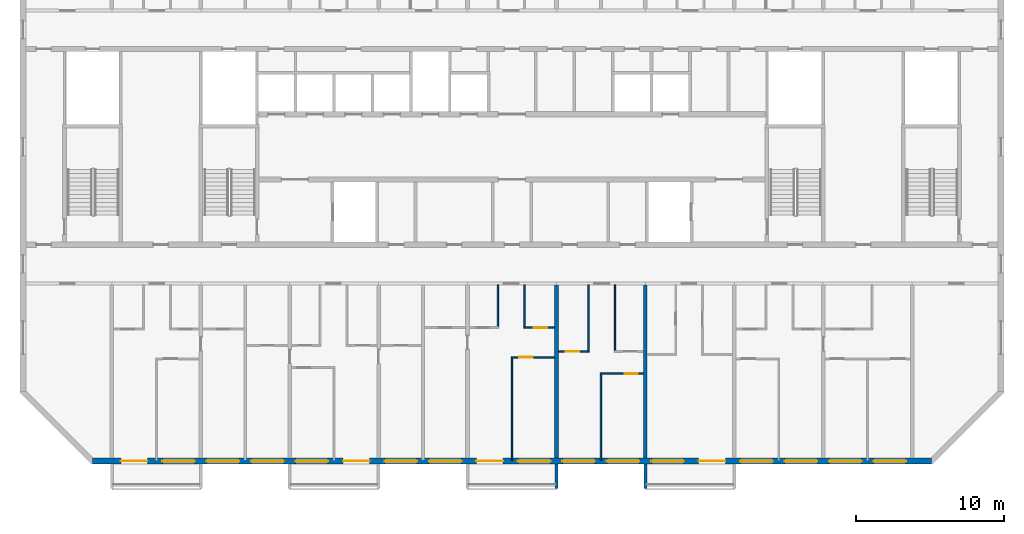
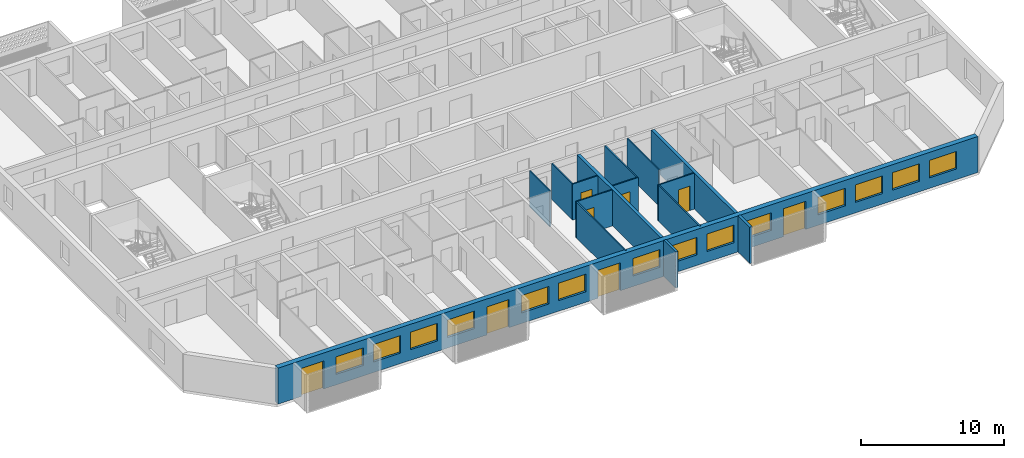
# One storey, part 4 of 29: 15 walls, 14 windows, 8 doors, 22 openings.
"""IFC4 building model written with IfcOpenShell, lengths in metres."""

from ifc_helpers import new_model, si_unit, direction, frame, frame_2d, origin, place, context, subcontext, project, spatial, polyline, rectangle, outline, extrude, source, transform, mapped, material, layer, layer_set, type_object, element, fill, save


model = new_model("IFC4")

# Units and contexts
model_context = context("Model", 3, precision=1e-05, world=origin(), true_north=direction((0.0, 1.0)))
body_context = subcontext(model_context, "Body", "Model", "MODEL_VIEW")
ifc_project = project(units=[si_unit("LENGTHUNIT", "METRE"), si_unit("AREAUNIT", "SQUARE_METRE"), si_unit("VOLUMEUNIT", "CUBIC_METRE"), si_unit("PLANEANGLEUNIT", "RADIAN"), si_unit("MASSUNIT", "GRAM", prefix="KILO")], contexts=[model_context])

# Site, building, storey
site_placement = place(None, origin())
site = spatial("IfcSite", under=ifc_project, at=site_placement, CompositionType="ELEMENT")
building_placement = place(site_placement, origin())
building = spatial("IfcBuilding", under=site, at=building_placement, Name="Poui Terraces", CompositionType="ELEMENT")
storey_placement = place(building_placement, frame((0.0, 0.0, 234.60009765625)))
storey = spatial("IfcBuildingStorey", under=building, at=storey_placement, Name="L65", CompositionType="ELEMENT", Elevation=234.60009765625)

# Walls
ifc_material_1 = material(Name="Concrete 50 MPa", Category="concrete")
ifc_layer_1 = layer(ifc_material_1, 0.25)
ifc_layer_set_1 = layer_set([ifc_layer_1], Name="Concrete 50 MPa")
wall_type_1 = type_object("IfcWallType", Name="CROSS WALL 250 50MPa", PredefinedType="SHEAR", material=ifc_layer_set_1)
for number, where, z_axis, x_axis, name in (
    (1, (54.0, 0.199951171875, 0.0), (0.0, 0.0, 1.0), (0.0, 1.0, 0.0), "CROSS WALL LINE 10 SOUTH"),
    (2, (60.0, 0.199951171875, 0.0), (0.0, 0.0, 1.0), (0.0, 1.0, 0.0), "CROSS WALL LINE 11 SOUTH"),
):
    element("IfcWall", number, at=place(storey_placement, frame(where, z_axis=z_axis, x_axis=x_axis)), inside=storey, type_object=wall_type_1, Name=name, PredefinedType="SHEAR", context=body_context, shape_type="SweptSolid", body=[
        extrude(rectangle(XDim=11.699951171875, YDim=0.25, at=frame_2d((5.85009765625, 0.0))), origin(), (0.0, 0.0, 1.0), 3.079833984375),
    ])

# Wall, openings, doors, windows
ifc_material_2 = material(Name="Precast concrete 40 MPa", Category="concrete")
ifc_layer_2 = layer(ifc_material_2, 0.39990234375)
ifc_layer_set_2 = layer_set([ifc_layer_2], Name="Precast concrete 40 MPa")
wall_type_2 = type_object("IfcWallType", Name="EXTERNAL WALL 400", PredefinedType="STANDARD", material=ifc_layer_set_2)
wall_1_placement = place(storey_placement, frame((22.682861328125, 0.0, 0.0), z_axis=(0.0, 0.0, 1.0), x_axis=(1.0, 0.0, 0.0)))
wall_1 = element("IfcWall", 3, at=wall_1_placement, inside=storey, type_object=wall_type_2, Name="EXTERNAL WALL S", PredefinedType="STANDARD", context=body_context, shape_type="SweptSolid", body=[
    extrude(rectangle(XDim=56.63427734375, YDim=0.39990234375, at=frame_2d((28.317138671875, 0.0))), origin(), (0.0, 0.0, 1.0), 3.079833984375),
])
opening_1_placement = place(wall_1_placement, frame((1.917236328125, 0.0, 0.0)))
opening_1 = element("IfcOpeningElement", 4, at=opening_1_placement, cuts=wall_1, Name="Opening BD1", PredefinedType="OPENING", context=body_context, shape_type="SweptSolid", body=[
    extrude(rectangle(XDim=1.800048828125, YDim=2.39990234375, at=frame_2d((0.89990234375, 1.199951171875))), frame((0.0, 0.2099609375, 0.0), z_axis=(0.0, -1.0, 0.0), x_axis=(1.0, 0.0, 0.0)), (0.0, 0.0, 1.0), 0.419921875),
])
opening_2_placement = place(wall_1_placement, frame((4.71728515625, 0.0, 0.89990234375)))
opening_2 = element("IfcOpeningElement", 5, at=opening_2_placement, cuts=wall_1, Name="Opening W1", PredefinedType="OPENING", context=body_context, shape_type="SweptSolid", body=[
    extrude(rectangle(XDim=2.199951171875, YDim=1.5, at=frame_2d((1.10009765625, 0.75))), frame((0.0, 0.2099609375, 0.0), z_axis=(0.0, -1.0, 0.0), x_axis=(1.0, 0.0, 0.0)), (0.0, 0.0, 1.0), 0.419921875),
])
opening_3_placement = place(wall_1_placement, frame((7.71728515625, 0.0, 0.89990234375)))
opening_3 = element("IfcOpeningElement", 6, at=opening_3_placement, cuts=wall_1, Name="Opening W1", PredefinedType="OPENING", context=body_context, shape_type="SweptSolid", body=[
    extrude(rectangle(XDim=2.199951171875, YDim=1.5, at=frame_2d((1.10009765625, 0.75))), frame((0.0, 0.2099609375, 0.0), z_axis=(0.0, -1.0, 0.0), x_axis=(1.0, 0.0, 0.0)), (0.0, 0.0, 1.0), 0.419921875),
])
opening_4_placement = place(wall_1_placement, frame((10.71728515625, 0.0, 0.89990234375)))
opening_4 = element("IfcOpeningElement", 7, at=opening_4_placement, cuts=wall_1, Name="Opening W1", PredefinedType="OPENING", context=body_context, shape_type="SweptSolid", body=[
    extrude(rectangle(XDim=2.199951171875, YDim=1.5, at=frame_2d((1.10009765625, 0.75))), frame((0.0, 0.2099609375, 0.0), z_axis=(0.0, -1.0, 0.0), x_axis=(1.0, 0.0, 0.0)), (0.0, 0.0, 1.0), 0.419921875),
])
opening_5_placement = place(wall_1_placement, frame((13.71728515625, 0.0, 0.89990234375)))
opening_5 = element("IfcOpeningElement", 8, at=opening_5_placement, cuts=wall_1, Name="Opening W1", PredefinedType="OPENING", context=body_context, shape_type="SweptSolid", body=[
    extrude(rectangle(XDim=2.199951171875, YDim=1.5, at=frame_2d((1.10009765625, 0.75))), frame((0.0, 0.2099609375, 0.0), z_axis=(0.0, -1.0, 0.0), x_axis=(1.0, 0.0, 0.0)), (0.0, 0.0, 1.0), 0.419921875),
])
opening_6_placement = place(wall_1_placement, frame((16.917236328125, 0.0, 0.0)))
opening_6 = element("IfcOpeningElement", 9, at=opening_6_placement, cuts=wall_1, Name="Opening BD1", PredefinedType="OPENING", context=body_context, shape_type="SweptSolid", body=[
    extrude(rectangle(XDim=1.800048828125, YDim=2.39990234375, at=frame_2d((0.89990234375, 1.199951171875))), frame((0.0, 0.2099609375, 0.0), z_axis=(0.0, -1.0, 0.0), x_axis=(1.0, 0.0, 0.0)), (0.0, 0.0, 1.0), 0.419921875),
])
opening_7_placement = place(wall_1_placement, frame((19.71728515625, 0.0, 0.89990234375)))
opening_7 = element("IfcOpeningElement", 10, at=opening_7_placement, cuts=wall_1, Name="Opening W1", PredefinedType="OPENING", context=body_context, shape_type="SweptSolid", body=[
    extrude(rectangle(XDim=2.199951171875, YDim=1.5, at=frame_2d((1.10009765625, 0.75))), frame((0.0, 0.2099609375, 0.0), z_axis=(0.0, -1.0, 0.0), x_axis=(1.0, 0.0, 0.0)), (0.0, 0.0, 1.0), 0.419921875),
])
opening_8_placement = place(wall_1_placement, frame((22.71728515625, 0.0, 0.89990234375)))
opening_8 = element("IfcOpeningElement", 11, at=opening_8_placement, cuts=wall_1, Name="Opening W1", PredefinedType="OPENING", context=body_context, shape_type="SweptSolid", body=[
    extrude(rectangle(XDim=2.199951171875, YDim=1.5, at=frame_2d((1.10009765625, 0.75))), frame((0.0, 0.2099609375, 0.0), z_axis=(0.0, -1.0, 0.0), x_axis=(1.0, 0.0, 0.0)), (0.0, 0.0, 1.0), 0.419921875),
])
opening_9_placement = place(wall_1_placement, frame((25.917236328125, 0.0, 0.0)))
opening_9 = element("IfcOpeningElement", 12, at=opening_9_placement, cuts=wall_1, Name="Opening BD1", PredefinedType="OPENING", context=body_context, shape_type="SweptSolid", body=[
    extrude(rectangle(XDim=1.800048828125, YDim=2.39990234375, at=frame_2d((0.89990234375, 1.199951171875))), frame((0.0, 0.2099609375, 0.0), z_axis=(0.0, -1.0, 0.0), x_axis=(1.0, 0.0, 0.0)), (0.0, 0.0, 1.0), 0.419921875),
])
opening_10_placement = place(wall_1_placement, frame((28.71728515625, 0.0, 0.89990234375)))
opening_10 = element("IfcOpeningElement", 13, at=opening_10_placement, cuts=wall_1, Name="Opening W1", PredefinedType="OPENING", context=body_context, shape_type="SweptSolid", body=[
    extrude(rectangle(XDim=2.199951171875, YDim=1.5, at=frame_2d((1.10009765625, 0.75))), frame((0.0, 0.2099609375, 0.0), z_axis=(0.0, -1.0, 0.0), x_axis=(1.0, 0.0, 0.0)), (0.0, 0.0, 1.0), 0.419921875),
])
opening_11_placement = place(wall_1_placement, frame((31.71728515625, 0.0, 0.89990234375)))
opening_11 = element("IfcOpeningElement", 14, at=opening_11_placement, cuts=wall_1, Name="Opening W1", PredefinedType="OPENING", context=body_context, shape_type="SweptSolid", body=[
    extrude(rectangle(XDim=2.199951171875, YDim=1.5, at=frame_2d((1.10009765625, 0.75))), frame((0.0, 0.2099609375, 0.0), z_axis=(0.0, -1.0, 0.0), x_axis=(1.0, 0.0, 0.0)), (0.0, 0.0, 1.0), 0.419921875),
])
opening_12_placement = place(wall_1_placement, frame((34.71728515625, 0.0, 0.89990234375)))
opening_12 = element("IfcOpeningElement", 15, at=opening_12_placement, cuts=wall_1, Name="Opening W1", PredefinedType="OPENING", context=body_context, shape_type="SweptSolid", body=[
    extrude(rectangle(XDim=2.199951171875, YDim=1.5, at=frame_2d((1.10009765625, 0.75))), frame((0.0, 0.2099609375, 0.0), z_axis=(0.0, -1.0, 0.0), x_axis=(1.0, 0.0, 0.0)), (0.0, 0.0, 1.0), 0.419921875),
])
opening_13_placement = place(wall_1_placement, frame((37.71728515625, 0.0, 0.89990234375)))
opening_13 = element("IfcOpeningElement", 16, at=opening_13_placement, cuts=wall_1, Name="Opening W1", PredefinedType="OPENING", context=body_context, shape_type="SweptSolid", body=[
    extrude(rectangle(XDim=2.199951171875, YDim=1.5, at=frame_2d((1.10009765625, 0.75))), frame((0.0, 0.2099609375, 0.0), z_axis=(0.0, -1.0, 0.0), x_axis=(1.0, 0.0, 0.0)), (0.0, 0.0, 1.0), 0.419921875),
])
opening_14_placement = place(wall_1_placement, frame((40.917236328125, 0.0, 0.0)))
opening_14 = element("IfcOpeningElement", 17, at=opening_14_placement, cuts=wall_1, Name="Opening BD1", PredefinedType="OPENING", context=body_context, shape_type="SweptSolid", body=[
    extrude(rectangle(XDim=1.800048828125, YDim=2.39990234375, at=frame_2d((0.89990234375, 1.199951171875))), frame((0.0, 0.2099609375, 0.0), z_axis=(0.0, -1.0, 0.0), x_axis=(1.0, 0.0, 0.0)), (0.0, 0.0, 1.0), 0.419921875),
])
opening_15_placement = place(wall_1_placement, frame((43.71728515625, 0.0, 0.89990234375)))
opening_15 = element("IfcOpeningElement", 18, at=opening_15_placement, cuts=wall_1, Name="Opening W1", PredefinedType="OPENING", context=body_context, shape_type="SweptSolid", body=[
    extrude(rectangle(XDim=2.199951171875, YDim=1.5, at=frame_2d((1.10009765625, 0.75))), frame((0.0, 0.2099609375, 0.0), z_axis=(0.0, -1.0, 0.0), x_axis=(1.0, 0.0, 0.0)), (0.0, 0.0, 1.0), 0.419921875),
])
opening_16_placement = place(wall_1_placement, frame((46.71728515625, 0.0, 0.89990234375)))
opening_16 = element("IfcOpeningElement", 19, at=opening_16_placement, cuts=wall_1, Name="Opening W1", PredefinedType="OPENING", context=body_context, shape_type="SweptSolid", body=[
    extrude(rectangle(XDim=2.199951171875, YDim=1.5, at=frame_2d((1.10009765625, 0.75))), frame((0.0, 0.2099609375, 0.0), z_axis=(0.0, -1.0, 0.0), x_axis=(1.0, 0.0, 0.0)), (0.0, 0.0, 1.0), 0.419921875),
])
opening_17_placement = place(wall_1_placement, frame((49.71728515625, 0.0, 0.89990234375)))
opening_17 = element("IfcOpeningElement", 20, at=opening_17_placement, cuts=wall_1, Name="Opening W1", PredefinedType="OPENING", context=body_context, shape_type="SweptSolid", body=[
    extrude(rectangle(XDim=2.199951171875, YDim=1.5, at=frame_2d((1.10009765625, 0.75))), frame((0.0, 0.2099609375, 0.0), z_axis=(0.0, -1.0, 0.0), x_axis=(1.0, 0.0, 0.0)), (0.0, 0.0, 1.0), 0.419921875),
])
opening_18_placement = place(wall_1_placement, frame((52.71728515625, 0.0, 0.89990234375)))
opening_18 = element("IfcOpeningElement", 21, at=opening_18_placement, cuts=wall_1, Name="Opening W1", PredefinedType="OPENING", context=body_context, shape_type="SweptSolid", body=[
    extrude(rectangle(XDim=2.199951171875, YDim=1.5, at=frame_2d((1.10009765625, 0.75))), frame((0.0, 0.2099609375, 0.0), z_axis=(0.0, -1.0, 0.0), x_axis=(1.0, 0.0, 0.0)), (0.0, 0.0, 1.0), 0.419921875),
])
ifc_material_3 = material(Name="Clear glass in aluminium frame", Category="aluminium")
door_type_1 = type_object("IfcDoorType", Name="BALCONY DOOR 1800X2400", OperationType="DOUBLE_DOOR_SLIDING", PredefinedType="DOOR", material=ifc_material_3)
door_1_placement = place(opening_1_placement, origin())
door_1 = element("IfcDoor", 22, at=door_1_placement, inside=storey, type_object=door_type_1, Name="BD1 BALCONY DOOR", OperationType="DOUBLE_DOOR_SLIDING", OverallHeight=2.39990234375, OverallWidth=1.800048828125, PredefinedType="DOOR", context=body_context, shape_type="SweptSolid", body=[
    extrude(rectangle(XDim=1.800048828125, YDim=2.39990234375, at=frame_2d((0.89990234375, 1.199951171875))), frame((0.0, 0.02490234375, 0.0), z_axis=(0.0, -1.0, 0.0), x_axis=(1.0, 0.0, 0.0)), (0.0, 0.0, 1.0), 0.050048828125),
])
fill(opening_1, door_1)
door_2_placement = place(opening_6_placement, origin())
door_2 = element("IfcDoor", 23, at=door_2_placement, inside=storey, type_object=door_type_1, Name="BD1 BALCONY DOOR", OperationType="DOUBLE_DOOR_SLIDING", OverallHeight=2.39990234375, OverallWidth=1.800048828125, PredefinedType="DOOR", context=body_context, shape_type="SweptSolid", body=[
    extrude(rectangle(XDim=1.800048828125, YDim=2.39990234375, at=frame_2d((0.89990234375, 1.199951171875))), frame((0.0, 0.02490234375, 0.0), z_axis=(0.0, -1.0, 0.0), x_axis=(1.0, 0.0, 0.0)), (0.0, 0.0, 1.0), 0.050048828125),
])
fill(opening_6, door_2)
door_3_placement = place(opening_9_placement, origin())
door_3 = element("IfcDoor", 24, at=door_3_placement, inside=storey, type_object=door_type_1, Name="BD1 BALCONY DOOR", OperationType="DOUBLE_DOOR_SLIDING", OverallHeight=2.39990234375, OverallWidth=1.800048828125, PredefinedType="DOOR", context=body_context, shape_type="SweptSolid", body=[
    extrude(rectangle(XDim=1.800048828125, YDim=2.39990234375, at=frame_2d((0.89990234375, 1.199951171875))), frame((0.0, 0.02490234375, 0.0), z_axis=(0.0, -1.0, 0.0), x_axis=(1.0, 0.0, 0.0)), (0.0, 0.0, 1.0), 0.050048828125),
])
fill(opening_9, door_3)
door_4_placement = place(opening_14_placement, origin())
door_4 = element("IfcDoor", 25, at=door_4_placement, inside=storey, type_object=door_type_1, Name="BD1 BALCONY DOOR", OperationType="DOUBLE_DOOR_SLIDING", OverallHeight=2.39990234375, OverallWidth=1.800048828125, PredefinedType="DOOR", context=body_context, shape_type="SweptSolid", body=[
    extrude(rectangle(XDim=1.800048828125, YDim=2.39990234375, at=frame_2d((0.89990234375, 1.199951171875))), frame((0.0, 0.02490234375, 0.0), z_axis=(0.0, -1.0, 0.0), x_axis=(1.0, 0.0, 0.0)), (0.0, 0.0, 1.0), 0.050048828125),
])
fill(opening_14, door_4)
window_type = type_object("IfcWindowType", Name="WINDOW 2200X1500", PartitioningType="DOUBLE_PANEL_HORIZONTAL", PredefinedType="WINDOW", material=ifc_material_3)
window_1_placement = place(opening_2_placement, origin())
window_1 = element("IfcWindow", 26, at=window_1_placement, inside=storey, type_object=window_type, Name="W1 WINDOW", OverallHeight=1.5, OverallWidth=2.199951171875, PartitioningType="DOUBLE_PANEL_HORIZONTAL", PredefinedType="WINDOW", context=body_context, shape_type="SweptSolid", body=[
    extrude(rectangle(XDim=2.199951171875, YDim=1.5, at=frame_2d((1.10009765625, 0.75))), frame((0.0, 0.030029296875, 0.0), z_axis=(0.0, -1.0, 0.0), x_axis=(1.0, 0.0, 0.0)), (0.0, 0.0, 1.0), 0.06005859375),
])
fill(opening_2, window_1)
window_2_placement = place(opening_3_placement, origin())
window_2 = element("IfcWindow", 27, at=window_2_placement, inside=storey, type_object=window_type, Name="W1 WINDOW", OverallHeight=1.5, OverallWidth=2.199951171875, PartitioningType="DOUBLE_PANEL_HORIZONTAL", PredefinedType="WINDOW", context=body_context, shape_type="SweptSolid", body=[
    extrude(rectangle(XDim=2.199951171875, YDim=1.5, at=frame_2d((1.10009765625, 0.75))), frame((0.0, 0.030029296875, 0.0), z_axis=(0.0, -1.0, 0.0), x_axis=(1.0, 0.0, 0.0)), (0.0, 0.0, 1.0), 0.06005859375),
])
fill(opening_3, window_2)
window_3_placement = place(opening_4_placement, origin())
window_3 = element("IfcWindow", 28, at=window_3_placement, inside=storey, type_object=window_type, Name="W1 WINDOW", OverallHeight=1.5, OverallWidth=2.199951171875, PartitioningType="DOUBLE_PANEL_HORIZONTAL", PredefinedType="WINDOW", context=body_context, shape_type="SweptSolid", body=[
    extrude(rectangle(XDim=2.199951171875, YDim=1.5, at=frame_2d((1.10009765625, 0.75))), frame((0.0, 0.030029296875, 0.0), z_axis=(0.0, -1.0, 0.0), x_axis=(1.0, 0.0, 0.0)), (0.0, 0.0, 1.0), 0.06005859375),
])
fill(opening_4, window_3)
window_4_placement = place(opening_5_placement, origin())
window_4 = element("IfcWindow", 29, at=window_4_placement, inside=storey, type_object=window_type, Name="W1 WINDOW", OverallHeight=1.5, OverallWidth=2.199951171875, PartitioningType="DOUBLE_PANEL_HORIZONTAL", PredefinedType="WINDOW", context=body_context, shape_type="SweptSolid", body=[
    extrude(rectangle(XDim=2.199951171875, YDim=1.5, at=frame_2d((1.10009765625, 0.75))), frame((0.0, 0.030029296875, 0.0), z_axis=(0.0, -1.0, 0.0), x_axis=(1.0, 0.0, 0.0)), (0.0, 0.0, 1.0), 0.06005859375),
])
fill(opening_5, window_4)
window_5_placement = place(opening_7_placement, origin())
window_5 = element("IfcWindow", 30, at=window_5_placement, inside=storey, type_object=window_type, Name="W1 WINDOW", OverallHeight=1.5, OverallWidth=2.199951171875, PartitioningType="DOUBLE_PANEL_HORIZONTAL", PredefinedType="WINDOW", context=body_context, shape_type="SweptSolid", body=[
    extrude(rectangle(XDim=2.199951171875, YDim=1.5, at=frame_2d((1.10009765625, 0.75))), frame((0.0, 0.030029296875, 0.0), z_axis=(0.0, -1.0, 0.0), x_axis=(1.0, 0.0, 0.0)), (0.0, 0.0, 1.0), 0.06005859375),
])
fill(opening_7, window_5)
window_6_placement = place(opening_8_placement, origin())
window_6 = element("IfcWindow", 31, at=window_6_placement, inside=storey, type_object=window_type, Name="W1 WINDOW", OverallHeight=1.5, OverallWidth=2.199951171875, PartitioningType="DOUBLE_PANEL_HORIZONTAL", PredefinedType="WINDOW", context=body_context, shape_type="SweptSolid", body=[
    extrude(rectangle(XDim=2.199951171875, YDim=1.5, at=frame_2d((1.10009765625, 0.75))), frame((0.0, 0.030029296875, 0.0), z_axis=(0.0, -1.0, 0.0), x_axis=(1.0, 0.0, 0.0)), (0.0, 0.0, 1.0), 0.06005859375),
])
fill(opening_8, window_6)
window_7_placement = place(opening_10_placement, origin())
window_7 = element("IfcWindow", 32, at=window_7_placement, inside=storey, type_object=window_type, Name="W1 WINDOW", OverallHeight=1.5, OverallWidth=2.199951171875, PartitioningType="DOUBLE_PANEL_HORIZONTAL", PredefinedType="WINDOW", context=body_context, shape_type="SweptSolid", body=[
    extrude(rectangle(XDim=2.199951171875, YDim=1.5, at=frame_2d((1.10009765625, 0.75))), frame((0.0, 0.030029296875, 0.0), z_axis=(0.0, -1.0, 0.0), x_axis=(1.0, 0.0, 0.0)), (0.0, 0.0, 1.0), 0.06005859375),
])
fill(opening_10, window_7)
window_8_placement = place(opening_11_placement, origin())
window_8 = element("IfcWindow", 33, at=window_8_placement, inside=storey, type_object=window_type, Name="W1 WINDOW", OverallHeight=1.5, OverallWidth=2.199951171875, PartitioningType="DOUBLE_PANEL_HORIZONTAL", PredefinedType="WINDOW", context=body_context, shape_type="SweptSolid", body=[
    extrude(rectangle(XDim=2.199951171875, YDim=1.5, at=frame_2d((1.10009765625, 0.75))), frame((0.0, 0.030029296875, 0.0), z_axis=(0.0, -1.0, 0.0), x_axis=(1.0, 0.0, 0.0)), (0.0, 0.0, 1.0), 0.06005859375),
])
fill(opening_11, window_8)
window_9_placement = place(opening_12_placement, origin())
window_9 = element("IfcWindow", 34, at=window_9_placement, inside=storey, type_object=window_type, Name="W1 WINDOW", OverallHeight=1.5, OverallWidth=2.199951171875, PartitioningType="DOUBLE_PANEL_HORIZONTAL", PredefinedType="WINDOW", context=body_context, shape_type="SweptSolid", body=[
    extrude(rectangle(XDim=2.199951171875, YDim=1.5, at=frame_2d((1.10009765625, 0.75))), frame((0.0, 0.030029296875, 0.0), z_axis=(0.0, -1.0, 0.0), x_axis=(1.0, 0.0, 0.0)), (0.0, 0.0, 1.0), 0.06005859375),
])
fill(opening_12, window_9)
window_10_placement = place(opening_13_placement, origin())
window_10 = element("IfcWindow", 35, at=window_10_placement, inside=storey, type_object=window_type, Name="W1 WINDOW", OverallHeight=1.5, OverallWidth=2.199951171875, PartitioningType="DOUBLE_PANEL_HORIZONTAL", PredefinedType="WINDOW", context=body_context, shape_type="SweptSolid", body=[
    extrude(rectangle(XDim=2.199951171875, YDim=1.5, at=frame_2d((1.10009765625, 0.75))), frame((0.0, 0.030029296875, 0.0), z_axis=(0.0, -1.0, 0.0), x_axis=(1.0, 0.0, 0.0)), (0.0, 0.0, 1.0), 0.06005859375),
])
fill(opening_13, window_10)
window_11_placement = place(opening_15_placement, origin())
window_11 = element("IfcWindow", 36, at=window_11_placement, inside=storey, type_object=window_type, Name="W1 WINDOW", OverallHeight=1.5, OverallWidth=2.199951171875, PartitioningType="DOUBLE_PANEL_HORIZONTAL", PredefinedType="WINDOW", context=body_context, shape_type="SweptSolid", body=[
    extrude(rectangle(XDim=2.199951171875, YDim=1.5, at=frame_2d((1.10009765625, 0.75))), frame((0.0, 0.030029296875, 0.0), z_axis=(0.0, -1.0, 0.0), x_axis=(1.0, 0.0, 0.0)), (0.0, 0.0, 1.0), 0.06005859375),
])
fill(opening_15, window_11)
window_12_placement = place(opening_16_placement, origin())
window_12 = element("IfcWindow", 37, at=window_12_placement, inside=storey, type_object=window_type, Name="W1 WINDOW", OverallHeight=1.5, OverallWidth=2.199951171875, PartitioningType="DOUBLE_PANEL_HORIZONTAL", PredefinedType="WINDOW", context=body_context, shape_type="SweptSolid", body=[
    extrude(rectangle(XDim=2.199951171875, YDim=1.5, at=frame_2d((1.10009765625, 0.75))), frame((0.0, 0.030029296875, 0.0), z_axis=(0.0, -1.0, 0.0), x_axis=(1.0, 0.0, 0.0)), (0.0, 0.0, 1.0), 0.06005859375),
])
fill(opening_16, window_12)
window_13_placement = place(opening_17_placement, origin())
window_13 = element("IfcWindow", 38, at=window_13_placement, inside=storey, type_object=window_type, Name="W1 WINDOW", OverallHeight=1.5, OverallWidth=2.199951171875, PartitioningType="DOUBLE_PANEL_HORIZONTAL", PredefinedType="WINDOW", context=body_context, shape_type="SweptSolid", body=[
    extrude(rectangle(XDim=2.199951171875, YDim=1.5, at=frame_2d((1.10009765625, 0.75))), frame((0.0, 0.030029296875, 0.0), z_axis=(0.0, -1.0, 0.0), x_axis=(1.0, 0.0, 0.0)), (0.0, 0.0, 1.0), 0.06005859375),
])
fill(opening_17, window_13)
window_14_placement = place(opening_18_placement, origin())
window_14 = element("IfcWindow", 39, at=window_14_placement, inside=storey, type_object=window_type, Name="W1 WINDOW", OverallHeight=1.5, OverallWidth=2.199951171875, PartitioningType="DOUBLE_PANEL_HORIZONTAL", PredefinedType="WINDOW", context=body_context, shape_type="SweptSolid", body=[
    extrude(rectangle(XDim=2.199951171875, YDim=1.5, at=frame_2d((1.10009765625, 0.75))), frame((0.0, 0.030029296875, 0.0), z_axis=(0.0, -1.0, 0.0), x_axis=(1.0, 0.0, 0.0)), (0.0, 0.0, 1.0), 0.06005859375),
])
fill(opening_18, window_14)

# Wall, opening, door
ifc_material_4 = material(Name="Plasterboard partition")
ifc_layer_3 = layer(ifc_material_4, 0.10009765625)
ifc_layer_set_3 = layer_set([ifc_layer_3], Name="Plasterboard partition")
wall_type_3 = type_object("IfcWallType", Name="FLAT PARTITION 100", PredefinedType="PARTITIONING", material=ifc_layer_set_3)
wall_2_placement = place(storey_placement, frame((56.949951171875, 5.89990234375, 0.0), z_axis=(0.0, 0.0, 1.0), x_axis=(1.0, 0.0, 0.0)))
wall_2 = element("IfcWall", 40, at=wall_2_placement, inside=storey, type_object=wall_type_3, Name="FLAT PARTITION 100", PredefinedType="PARTITIONING", context=body_context, shape_type="SweptSolid", body=[
    extrude(rectangle(XDim=2.9150390625, YDim=0.10009765625, at=frame_2d((1.45751953125, 0.0))), origin(), (0.0, 0.0, 1.0), 3.079833984375),
])
opening_19_placement = place(wall_2_placement, frame((1.64990234375, 0.0, 0.0)))
opening_19 = element("IfcOpeningElement", 41, at=opening_19_placement, cuts=wall_2, Name="Opening D90", PredefinedType="OPENING", context=body_context, shape_type="SweptSolid", body=[
    extrude(rectangle(XDim=0.89990234375, YDim=2.10009765625, at=frame_2d((0.449951171875, 1.050048828125))), frame((0.0, 0.06005859375, 0.0), z_axis=(0.0, -1.0, 0.0), x_axis=(1.0, 0.0, 0.0)), (0.0, 0.0, 1.0), 0.1201171875),
])
ifc_material_5 = material(Name="Solid core timber door", Category="wood")
door_type_2 = type_object("IfcDoorType", Name="INTERNAL DOOR 900 X 2100", OperationType="NOTDEFINED", PredefinedType="DOOR", material=ifc_material_5)
door_5_placement = place(opening_19_placement, origin())
door_5 = element("IfcDoor", 42, at=door_5_placement, inside=storey, type_object=door_type_2, Name="INTERNAL DOOR 087", OperationType="SINGLE_SWING_LEFT", OverallHeight=2.10009765625, OverallWidth=0.89990234375, PredefinedType="DOOR", context=body_context, shape_type="SweptSolid", body=[
    extrude(rectangle(XDim=0.89990234375, YDim=2.10009765625, at=frame_2d((0.449951171875, 1.050048828125))), frame((0.0, 0.02490234375, 0.0), z_axis=(0.0, -1.0, 0.0), x_axis=(1.0, 0.0, 0.0)), (0.0, 0.0, 1.0), 0.050048828125),
])
fill(opening_19, door_5)

wall_3_placement = place(storey_placement, frame((50.949951171875, 7.0, 0.0), z_axis=(0.0, 0.0, 1.0), x_axis=(1.0, 0.0, 0.0)))
wall_3 = element("IfcWall", 43, at=wall_3_placement, inside=storey, type_object=wall_type_3, Name="FLAT PARTITION 100", PredefinedType="PARTITIONING", context=body_context, shape_type="SweptSolid", body=[
    extrude(rectangle(XDim=2.9150390625, YDim=0.10009765625, at=frame_2d((1.45751953125, 0.0))), origin(), (0.0, 0.0, 1.0), 3.079833984375),
])
opening_20_placement = place(wall_3_placement, frame((0.550048828125, 0.0, 0.0)))
opening_20 = element("IfcOpeningElement", 44, at=opening_20_placement, cuts=wall_3, Name="Opening D90", PredefinedType="OPENING", context=body_context, shape_type="SweptSolid", body=[
    extrude(rectangle(XDim=0.89990234375, YDim=2.10009765625, at=frame_2d((0.449951171875, 1.050048828125))), frame((0.0, 0.06005859375, 0.0), z_axis=(0.0, -1.0, 0.0), x_axis=(1.0, 0.0, 0.0)), (0.0, 0.0, 1.0), 0.1201171875),
])
door_6_placement = place(opening_20_placement, origin())
door_6 = element("IfcDoor", 45, at=door_6_placement, inside=storey, type_object=door_type_2, Name="INTERNAL DOOR 082", OperationType="SINGLE_SWING_RIGHT", OverallHeight=2.10009765625, OverallWidth=0.89990234375, PredefinedType="DOOR", context=body_context, shape_type="SweptSolid", body=[
    extrude(rectangle(XDim=0.89990234375, YDim=2.10009765625, at=frame_2d((0.449951171875, 1.050048828125))), frame((0.0, 0.02490234375, 0.0), z_axis=(0.0, -1.0, 0.0), x_axis=(1.0, 0.0, 0.0)), (0.0, 0.0, 1.0), 0.050048828125),
])
fill(opening_20, door_6)

wall_4_placement = place(storey_placement, frame((54.135009765625, 7.39990234375, 0.0), z_axis=(0.0, 0.0, 1.0), x_axis=(1.0, 0.0, 0.0)))
wall_4 = element("IfcWall", 46, at=wall_4_placement, inside=storey, type_object=wall_type_3, Name="FLAT PARTITION 100", PredefinedType="PARTITIONING", context=body_context, shape_type="SweptSolid", body=[
    extrude(rectangle(XDim=2.06494140625, YDim=0.10009765625, at=frame_2d((1.032470703125, 0.0))), origin(), (0.0, 0.0, 1.0), 3.079833984375),
])
opening_21_placement = place(wall_4_placement, frame((0.489990234375, 0.0, 0.0)))
opening_21 = element("IfcOpeningElement", 47, at=opening_21_placement, cuts=wall_4, Name="Opening D90", PredefinedType="OPENING", context=body_context, shape_type="SweptSolid", body=[
    extrude(rectangle(XDim=0.89990234375, YDim=2.10009765625, at=frame_2d((0.449951171875, 1.050048828125))), frame((0.0, 0.06005859375, 0.0), z_axis=(0.0, -1.0, 0.0), x_axis=(1.0, 0.0, 0.0)), (0.0, 0.0, 1.0), 0.1201171875),
])
door_7_placement = place(opening_21_placement, origin())
door_7 = element("IfcDoor", 48, at=door_7_placement, inside=storey, type_object=door_type_2, Name="INTERNAL DOOR 084", OperationType="SINGLE_SWING_LEFT", OverallHeight=2.10009765625, OverallWidth=0.89990234375, PredefinedType="DOOR", context=body_context, shape_type="SweptSolid", body=[
    extrude(rectangle(XDim=0.89990234375, YDim=2.10009765625, at=frame_2d((0.449951171875, 1.050048828125))), frame((0.0, 0.02490234375, 0.0), z_axis=(0.0, -1.0, 0.0), x_axis=(1.0, 0.0, 0.0)), (0.0, 0.0, 1.0), 0.050048828125),
])
fill(opening_21, door_7)

wall_5_placement = place(storey_placement, frame((51.800048828125, 9.0, 0.0), z_axis=(0.0, 0.0, 1.0), x_axis=(1.0, 0.0, 0.0)))
wall_5 = element("IfcWall", 49, at=wall_5_placement, inside=storey, type_object=wall_type_3, Name="FLAT PARTITION 100", PredefinedType="PARTITIONING", context=body_context, shape_type="SweptSolid", body=[
    extrude(rectangle(XDim=2.06494140625, YDim=0.10009765625, at=frame_2d((1.032470703125, 0.0))), origin(), (0.0, 0.0, 1.0), 3.079833984375),
])
opening_22_placement = place(wall_5_placement, frame((0.675048828125, 0.0, 0.0)))
opening_22 = element("IfcOpeningElement", 50, at=opening_22_placement, cuts=wall_5, Name="Opening D90", PredefinedType="OPENING", context=body_context, shape_type="SweptSolid", body=[
    extrude(rectangle(XDim=0.89990234375, YDim=2.10009765625, at=frame_2d((0.449951171875, 1.050048828125))), frame((0.0, 0.06005859375, 0.0), z_axis=(0.0, -1.0, 0.0), x_axis=(1.0, 0.0, 0.0)), (0.0, 0.0, 1.0), 0.1201171875),
])
door_8_placement = place(opening_22_placement, origin())
door_8 = element("IfcDoor", 51, at=door_8_placement, inside=storey, type_object=door_type_2, Name="INTERNAL DOOR 083", OperationType="SINGLE_SWING_LEFT", OverallHeight=2.10009765625, OverallWidth=0.89990234375, PredefinedType="DOOR", context=body_context, shape_type="SweptSolid", body=[
    extrude(rectangle(XDim=0.89990234375, YDim=2.10009765625, at=frame_2d((0.449951171875, 1.050048828125))), frame((0.0, 0.02490234375, 0.0), z_axis=(0.0, -1.0, 0.0), x_axis=(1.0, 0.0, 0.0)), (0.0, 0.0, 1.0), 0.050048828125),
])
fill(opening_22, door_8)

# Walls
wall_6_placement = place(storey_placement, frame((50.050048828125, 9.050048828125, 0.0), z_axis=(0.0, 0.0, 1.0), x_axis=(0.0, 1.0, 0.0)))
element("IfcWall", 52, at=wall_6_placement, inside=storey, type_object=wall_type_3, Name="FLAT PARTITION 100", PredefinedType="PARTITIONING", context=body_context, shape_type="SweptSolid", body=[
    extrude(rectangle(XDim=2.83984375, YDim=0.10009765625, at=frame_2d((1.419921875, 0.0))), origin(), (0.0, 0.0, 1.0), 3.079833984375),
])
wall_7_placement = place(storey_placement, frame((51.0, 0.06005859375, 0.0), z_axis=(0.0, 0.0, 1.0), x_axis=(0.0, 1.0, 0.0)))
element("IfcWall", 53, at=wall_7_placement, inside=storey, type_object=wall_type_3, Name="FLAT PARTITION 100", PredefinedType="PARTITIONING", context=body_context, shape_type="SweptSolid", body=[
    extrude(rectangle(XDim=6.889892578125, YDim=0.10009765625, at=frame_2d((3.44482421875, 0.0))), origin(), (0.0, 0.0, 1.0), 3.079833984375),
])
wall_8_placement = place(storey_placement, frame((51.85009765625, 9.050048828125, 0.0), z_axis=(0.0, 0.0, 1.0), x_axis=(0.0, 1.0, 0.0)))
element("IfcWall", 54, at=wall_8_placement, inside=storey, type_object=wall_type_3, Name="FLAT PARTITION 100", PredefinedType="PARTITIONING", context=body_context, shape_type="SweptSolid", body=[
    extrude(rectangle(XDim=2.83984375, YDim=0.10009765625, at=frame_2d((1.419921875, 0.0))), origin(), (0.0, 0.0, 1.0), 3.079833984375),
])
wall_9_placement = place(storey_placement, frame((56.14990234375, 7.449951171875, 0.0), z_axis=(0.0, 0.0, 1.0), x_axis=(0.0, 1.0, 0.0)))
element("IfcWall", 55, at=wall_9_placement, inside=storey, type_object=wall_type_3, Name="FLAT PARTITION 100", PredefinedType="PARTITIONING", context=body_context, shape_type="SweptSolid", body=[
    extrude(rectangle(XDim=4.43994140625, YDim=0.10009765625, at=frame_2d((2.219970703125, 0.0))), origin(), (0.0, 0.0, 1.0), 3.079833984375),
])
wall_10_placement = place(storey_placement, frame((57.0, 0.06005859375, 0.0), z_axis=(0.0, 0.0, 1.0), x_axis=(0.0, 1.0, 0.0)))
element("IfcWall", 56, at=wall_10_placement, inside=storey, type_object=wall_type_3, Name="FLAT PARTITION 100", PredefinedType="PARTITIONING", context=body_context, shape_type="SweptSolid", body=[
    extrude(rectangle(XDim=5.7900390625, YDim=0.10009765625, at=frame_2d((2.89501953125, 0.0))), origin(), (0.0, 0.0, 1.0), 3.079833984375),
])
wall_11_placement = place(storey_placement, frame((57.949951171875, 7.449951171875, 0.0), z_axis=(0.0, 0.0, 1.0), x_axis=(0.0, 1.0, 0.0)))
element("IfcWall", 57, at=wall_11_placement, inside=storey, type_object=wall_type_3, Name="FLAT PARTITION 100", PredefinedType="PARTITIONING", context=body_context, shape_type="SweptSolid", body=[
    extrude(rectangle(XDim=4.43994140625, YDim=0.10009765625, at=frame_2d((2.219970703125, 0.0))), origin(), (0.0, 0.0, 1.0), 3.079833984375),
])
ifc_layer_4 = layer(ifc_material_2, 0.199951171875)
ifc_layer_set_4 = layer_set([ifc_layer_4], Name="Precast concrete 40 MPa")
wall_type_4 = type_object("IfcWallType", Name="REAR FIN 200", PredefinedType="STANDARD", material=ifc_layer_set_4)
shared_shape = source(origin(), body_context, "Body", "SweptSolid", [
    extrude(outline(polyline([(0.0, 0.0), (0.2001953125, 0.0), (0.2001953125, 1.650146484375), (0.0, 1.650146484375), (0.0, 0.0)])), origin(), (0.0, 0.0, 1.0), 3.099853515625),
])
for number, where, name in (
    (58, (53.89990234375, -1.85009765625, 0.0), "REAR FIN"),
    (59, (59.89990234375, -1.85009765625, 0.0), "REAR FIN"),
):
    element("IfcWall", number, at=place(storey_placement, frame(where)), inside=storey, type_object=wall_type_4, Name=name, PredefinedType="STANDARD", context=body_context, shape_type="MappedRepresentation", body=[
        mapped(shared_shape, transform((0.0, 0.0, 0.0))),
    ])

save(model, "model.ifc")
